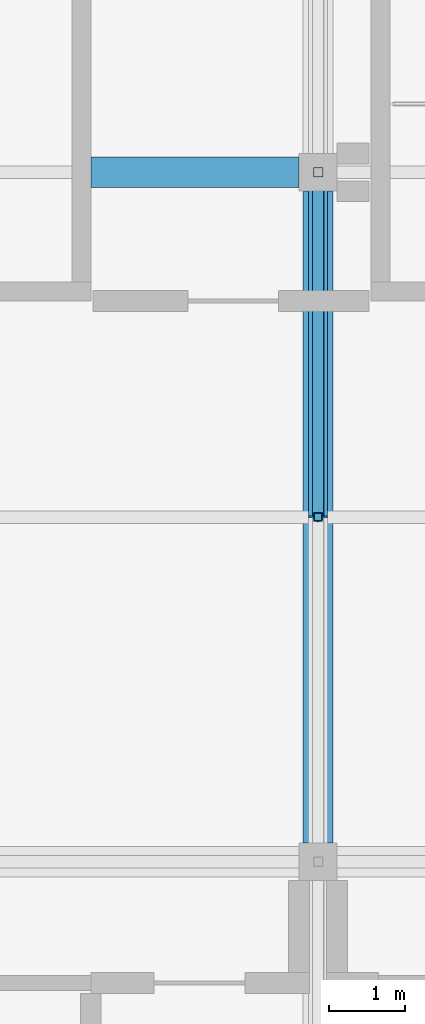
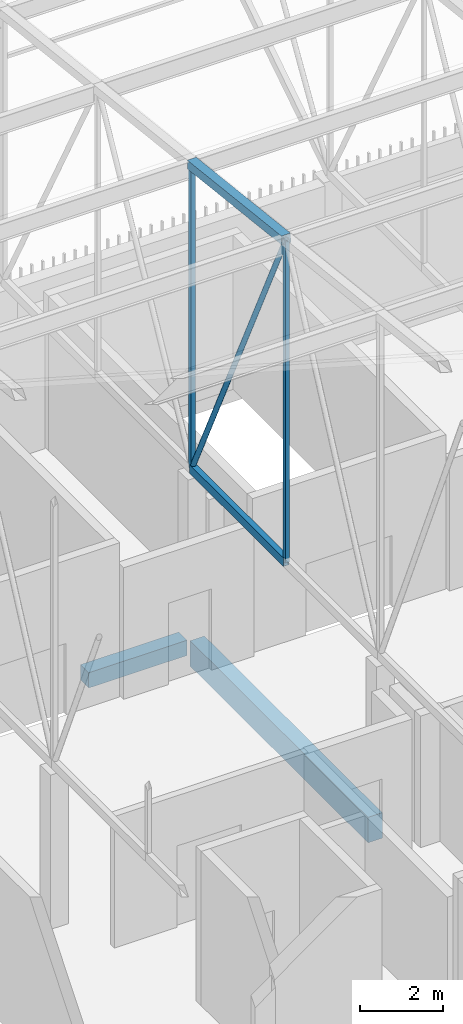
# One storey, part 237 of 500: 5 members, 2 beams.
"""IFC4 building model written with IfcOpenShell, lengths in metres."""

from ifc_helpers import new_model, si_unit, direction, frame, origin, origin_2d, place, context, subcontext, project, spatial, rectangle, hollow_rectangle, hollow_circle, extrude, material, material_profile, profile_set, type_object, element, save


model = new_model("IFC4")

# Units and contexts
model_context = context("Model", 3, precision=1e-05, world=origin(), true_north=direction((0.0, 1.0)))
body_context = subcontext(model_context, "Body", "Model", "MODEL_VIEW")
ifc_project = project(units=[si_unit("LENGTHUNIT", "METRE"), si_unit("AREAUNIT", "SQUARE_METRE"), si_unit("VOLUMEUNIT", "CUBIC_METRE"), si_unit("PLANEANGLEUNIT", "RADIAN"), si_unit("MASSUNIT", "GRAM", prefix="KILO")], contexts=[model_context])

# Site, building, storey
site_placement = place(None, origin())
site = spatial("IfcSite", under=ifc_project, at=site_placement, CompositionType="ELEMENT")
building_placement = place(site_placement, origin())
building = spatial("IfcBuilding", under=site, at=building_placement, Name="Shirokan Park Arena", CompositionType="ELEMENT")
storey_placement = place(building_placement, frame((0.0, 0.0, 29.1201171875)))
storey = spatial("IfcBuildingStorey", under=building, at=storey_placement, Name="L06", CompositionType="ELEMENT", Elevation=29.1201171875)

# Member
ifc_material_1 = material(Name="Steel ASTM A500 Grade C", Category="steel")
ifc_material_profile_1 = material_profile(ifc_material_1, hollow_rectangle(XDim=0.152099609375, YDim=0.25390625, WallThickness=0.009521484375, at=origin_2d()), Name="HSS254X152.4X9.5")
ifc_profile_set_1 = profile_set([ifc_material_profile_1], Name="Steel ASTM A500 Grade C")
member_type_1 = type_object("IfcMemberType", Name="Bottom chord HSS254X152.4X9.5", PredefinedType="CHORD", material=ifc_profile_set_1)
member_1_placement = place(storey_placement, frame((27.300048828125, 95.550048828125, 4.677001953125), z_axis=(0.0, 1.0, 0.0), x_axis=(-1.0, 0.0, 0.0)))
element("IfcMember", 1, at=member_1_placement, inside=storey, type_object=member_type_1, Name="Truss T04 bottom chord 24", PredefinedType="CHORD", context=body_context, shape_type="SweptSolid", body=[
    extrude(hollow_rectangle(XDim=0.152099609375, YDim=0.25390625, WallThickness=0.009521484375, at=origin_2d()), origin(), (0.0, 0.0, 1.0), 4.550048828125),
])

# Beams
ifc_material_2 = material(Name="Concrete C35", Category="concrete")
ifc_material_profile_2 = material_profile(ifc_material_2, rectangle(XDim=0.39990234375, YDim=0.75, at=origin_2d()), Name="400x750")
ifc_profile_set_2 = profile_set([ifc_material_profile_2], Name="Concrete C35")
beam_type_1 = type_object("IfcBeamType", Name="RC girder 400x750", PredefinedType="BEAM", material=ifc_profile_set_2)
beam_1_placement = place(storey_placement, frame((27.300048828125, 91.25, -0.5751953125), z_axis=(0.0, 1.0, 0.0), x_axis=(-1.0, 0.0, 0.0)))
element("IfcBeam", 2, at=beam_1_placement, inside=storey, type_object=beam_type_1, Name="Girder 4L-4M L06", PredefinedType="BEAM", context=body_context, shape_type="SweptSolid", body=[
    extrude(rectangle(XDim=0.39990234375, YDim=0.75, at=origin_2d()), origin(), (0.0, 0.0, 1.0), 8.599853515625),
])
ifc_material_profile_3 = material_profile(ifc_material_2, rectangle(XDim=0.39990234375, YDim=0.449951171875, at=origin_2d()), Name="400x450")
ifc_profile_set_3 = profile_set([ifc_material_profile_3], Name="Concrete C35")
beam_type_2 = type_object("IfcBeamType", Name="RC trimmer 400x450", PredefinedType="BEAM", material=ifc_profile_set_3)
beam_2_placement = place(storey_placement, frame((24.300048828125, 100.10009765625, -0.425048828125), z_axis=(1.0, 0.0, 0.0), x_axis=(0.0, 1.0, 0.0)))
element("IfcBeam", 3, at=beam_2_placement, inside=storey, type_object=beam_type_2, Name="Girder 3M-4M L06", PredefinedType="BEAM", context=body_context, shape_type="SweptSolid", body=[
    extrude(rectangle(XDim=0.39990234375, YDim=0.449951171875, at=origin_2d()), origin(), (0.0, 0.0, 1.0), 2.749755859375),
])

# Members
ifc_material_profile_4 = material_profile(ifc_material_1, hollow_rectangle(XDim=0.25390625, YDim=0.25390625, WallThickness=0.009521484375, at=origin_2d()), Name="HSS254X254X9.5")
ifc_profile_set_4 = profile_set([ifc_material_profile_4], Name="Steel ASTM A500 Grade C")
member_type_2 = type_object("IfcMemberType", Name="Top chord HSS254X254X9.5", PredefinedType="CHORD", material=ifc_profile_set_4)
member_2_placement = place(storey_placement, frame((27.300048828125, 95.550048828125, 14.182861328125), z_axis=(0.0, 0.993532328996, -0.113549598152), x_axis=(-1.0, 0.0, 0.0)))
element("IfcMember", 4, at=member_2_placement, inside=storey, type_object=member_type_2, Name="Truss T04 top chord 24", PredefinedType="CHORD", context=body_context, shape_type="SweptSolid", body=[
    extrude(hollow_rectangle(XDim=0.25390625, YDim=0.25390625, WallThickness=0.009521484375, at=origin_2d()), origin(), (0.0, 0.0, 1.0), 4.57958984375),
])
ifc_material_profile_5 = material_profile(ifc_material_1, hollow_circle(Radius=0.070556640625, WallThickness=0.006591796875, at=origin_2d()), Name="HSS141.3X6.6")
ifc_profile_set_5 = profile_set([ifc_material_profile_5], Name="Steel ASTM A500 Grade C")
member_type_3 = type_object("IfcMemberType", Name="Truss diagonal HSS141.3X6.6", PredefinedType="BRACE", material=ifc_profile_set_5)
member_3_placement = place(storey_placement, frame((27.300048828125, 95.550048828125, 14.182861328125), z_axis=(0.0, 0.431746476626, -0.901994999942), x_axis=(-1.0, 0.0, 0.0)))
element("IfcMember", 5, at=member_3_placement, inside=storey, type_object=member_type_3, Name="Truss T04 diagonal 24", PredefinedType="BRACE", context=body_context, shape_type="SweptSolid", body=[
    extrude(hollow_circle(Radius=0.070556640625, WallThickness=0.006591796875, at=origin_2d()), origin(), (0.0, 0.0, 1.0), 10.538818359375),
])
ifc_material_profile_6 = material_profile(ifc_material_1, hollow_rectangle(XDim=0.114013671875, YDim=0.114013671875, WallThickness=0.00634765625, at=origin_2d()), Name="HSS114.3X114.3X6.4")
ifc_profile_set_6 = profile_set([ifc_material_profile_6], Name="Steel ASTM A500 Grade C")
member_type_4 = type_object("IfcMemberType", Name="Truss post HSS114.3X114.3X6.4", PredefinedType="POST", material=ifc_profile_set_6)
member_4_placement = place(storey_placement, frame((27.300048828125, 95.550048828125, 4.677001953125), z_axis=(0.0, 0.0, 1.0), x_axis=(1.0, 0.0, 0.0)))
element("IfcMember", 6, at=member_4_placement, inside=storey, type_object=member_type_4, Name="Truss T04 post 24", PredefinedType="POST", context=body_context, shape_type="SweptSolid", body=[
    extrude(hollow_rectangle(XDim=0.114013671875, YDim=0.114013671875, WallThickness=0.00634765625, at=origin_2d()), origin(), (0.0, 0.0, 1.0), 9.505859375),
])
ifc_material_profile_7 = material_profile(ifc_material_1, hollow_rectangle(XDim=0.126953125, YDim=0.126953125, WallThickness=0.008056640625, at=origin_2d()), Name="HSS127X127X7.9")
ifc_profile_set_7 = profile_set([ifc_material_profile_7], Name="Steel ASTM A500 Grade C")
member_type_5 = type_object("IfcMemberType", Name="Truss post HSS127X127X7.9", PredefinedType="POST", material=ifc_profile_set_7)
member_5_placement = place(storey_placement, frame((27.300048828125, 100.10009765625, 4.677001953125), z_axis=(0.0, 0.0, 1.0), x_axis=(1.0, 0.0, 0.0)))
element("IfcMember", 7, at=member_5_placement, inside=storey, type_object=member_type_5, Name="Truss T04 post 25", PredefinedType="POST", context=body_context, shape_type="SweptSolid", body=[
    extrude(hollow_rectangle(XDim=0.126953125, YDim=0.126953125, WallThickness=0.008056640625, at=origin_2d()), origin(), (0.0, 0.0, 1.0), 8.98583984375),
])

save(model, "model.ifc")
